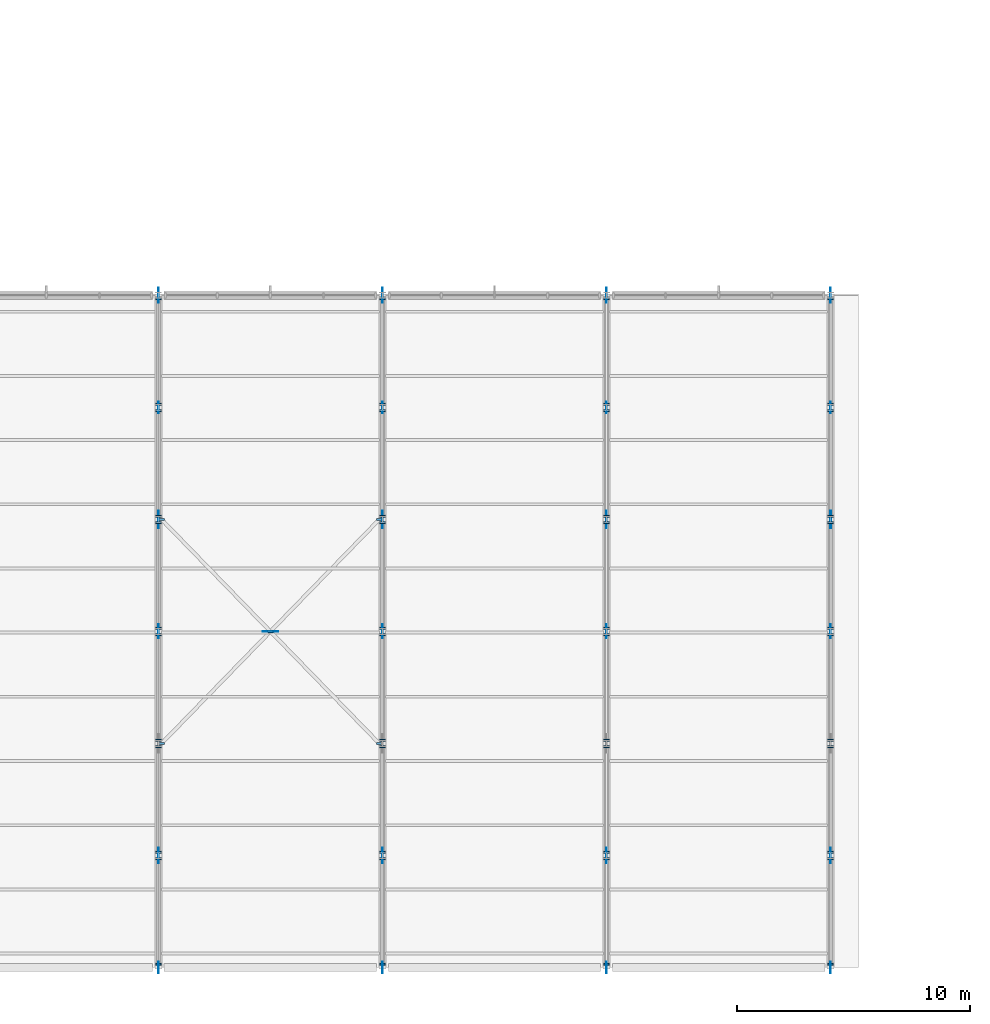
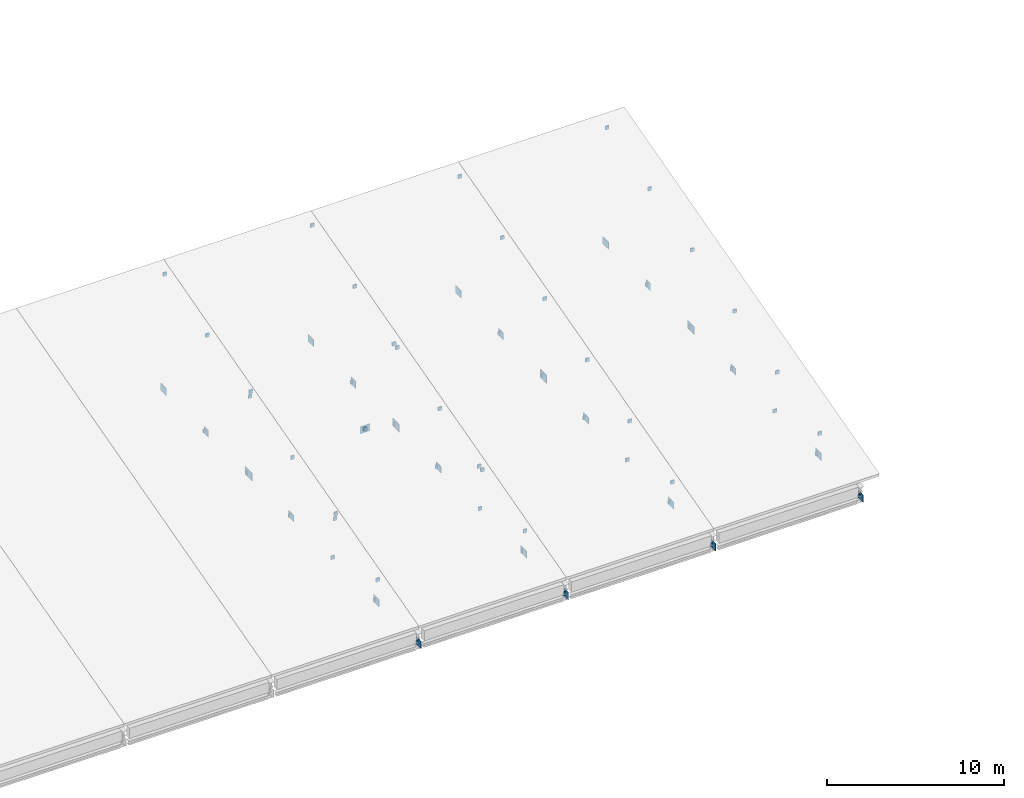
# One storey, part 39 of 57: 79 plates.
"""IFC4 building model written with IfcOpenShell, lengths in metres."""

from ifc_helpers import new_model, si_unit, direction, frame, origin, origin_2d, place, context, subcontext, project, spatial, rectangle, extrude, material, layer, layer_set, type_object, element, save


model = new_model("IFC4")

# Units and contexts
model_context = context("Model", 3, precision=1e-05, world=origin(), true_north=direction((0.0, 1.0)))
body_context = subcontext(model_context, "Body", "Model", "MODEL_VIEW")
ifc_project = project(units=[si_unit("LENGTHUNIT", "METRE"), si_unit("AREAUNIT", "SQUARE_METRE"), si_unit("VOLUMEUNIT", "CUBIC_METRE"), si_unit("PLANEANGLEUNIT", "RADIAN"), si_unit("MASSUNIT", "GRAM", prefix="KILO")], contexts=[model_context])

# Site, building, storey
site_placement = place(None, origin())
site = spatial("IfcSite", under=ifc_project, at=site_placement, CompositionType="ELEMENT")
building_placement = place(site_placement, origin())
building = spatial("IfcBuilding", under=site, at=building_placement, Name="Shalvenor Court Art Gallery", CompositionType="ELEMENT")
storey_placement = place(building_placement, frame((0.0, 0.0, 16.800048828125)))
storey = spatial("IfcBuildingStorey", under=building, at=storey_placement, Name="L03", CompositionType="ELEMENT", Elevation=16.800048828125)

# Plates
ifc_material_1 = material(Name="Steel S355", Category="steel")
ifc_layer_1 = layer(ifc_material_1, 0.02001953125, Name="Steel S355")
ifc_layer_set_1 = layer_set([ifc_layer_1], Name="Steel S355")
plate_type_1 = type_object("IfcPlateType", Name="EP-02", PredefinedType="USERDEFINED", material=ifc_layer_set_1)
for number, where, z_axis, x_axis, name in (
    (1, (38.39990234375, 0.139892578125, -1.2802734375), (0.0, 0.0, 1.0), (1.0, 0.0, 0.0), "Truss End Cap Stiffener PLT-CAP-0250"),
    (2, (38.39990234375, 4.659912109375, 0.26171875), (0.0, 0.0, 1.0), (1.0, 0.0, 0.0), "Truss End Cap Stiffener PLT-CAP-0251"),
    (3, (38.39990234375, 4.93994140625, -1.2802734375), (0.0, 0.0, 1.0), (1.0, 0.0, 0.0), "Truss End Cap Stiffener PLT-CAP-0252"),
    (4, (38.39990234375, 9.4599609375, 1.5615234375), (0.0, 0.0, 1.0), (1.0, 0.0, 0.0), "Truss End Cap Stiffener PLT-CAP-0253"),
    (5, (38.39990234375, 9.739990234375, -1.2802734375), (0.0, 0.0, 1.0), (1.0, 0.0, 0.0), "Truss End Cap Stiffener PLT-CAP-0254"),
    (6, (38.39990234375, 14.260009765625, 2.86181640625), (0.0, 0.0, 1.0), (1.0, 0.0, 0.0), "Truss End Cap Stiffener PLT-CAP-0255"),
    (7, (38.39990234375, 14.5400390625, -1.2802734375), (0.0, 0.0, 1.0), (1.0, 0.0, 0.0), "Truss End Cap Stiffener PLT-CAP-0256"),
    (8, (38.39990234375, 19.06005859375, 4.16162109375), (0.0, 0.0, 1.0), (1.0, 0.0, 0.0), "Truss End Cap Stiffener PLT-CAP-0257"),
    (9, (38.39990234375, 19.340087890625, -1.2802734375), (0.0, 0.0, 1.0), (1.0, 0.0, 0.0), "Truss End Cap Stiffener PLT-CAP-0258"),
    (10, (38.39990234375, 23.860107421875, 5.46142578125), (0.0, 0.0, 1.0), (1.0, 0.0, 0.0), "Truss End Cap Stiffener PLT-CAP-0259"),
    (11, (38.39990234375, 24.139892578125, -1.2802734375), (0.0, 0.0, 1.0), (1.0, 0.0, 0.0), "Truss End Cap Stiffener PLT-CAP-0260"),
    (12, (38.39990234375, 28.659912109375, 6.76171875), (0.0, 0.0, 1.0), (1.0, 0.0, 0.0), "Truss End Cap Stiffener PLT-CAP-0261"),
    (13, (48.0, 0.139892578125, -1.2802734375), (0.0, 0.0, 1.0), (1.0, 0.0, 0.0), "Truss End Cap Stiffener PLT-CAP-0269"),
    (14, (48.0, 4.659912109375, 0.26171875), (0.0, 0.0, 1.0), (1.0, 0.0, 0.0), "Truss End Cap Stiffener PLT-CAP-0270"),
    (15, (48.0, 4.93994140625, -1.2802734375), (0.0, 0.0, 1.0), (1.0, 0.0, 0.0), "Truss End Cap Stiffener PLT-CAP-0271"),
    (16, (48.0, 9.4599609375, 1.5615234375), (0.0, 0.0, 1.0), (1.0, 0.0, 0.0), "Truss End Cap Stiffener PLT-CAP-0272"),
    (17, (48.0, 9.739990234375, -1.2802734375), (0.0, 0.0, 1.0), (1.0, 0.0, 0.0), "Truss End Cap Stiffener PLT-CAP-0273"),
    (18, (48.0, 14.260009765625, 2.86181640625), (0.0, 0.0, 1.0), (1.0, 0.0, 0.0), "Truss End Cap Stiffener PLT-CAP-0274"),
    (19, (48.0, 14.5400390625, -1.2802734375), (0.0, 0.0, 1.0), (1.0, 0.0, 0.0), "Truss End Cap Stiffener PLT-CAP-0275"),
    (20, (48.0, 19.06005859375, 4.16162109375), (0.0, 0.0, 1.0), (1.0, 0.0, 0.0), "Truss End Cap Stiffener PLT-CAP-0276"),
    (21, (48.0, 19.340087890625, -1.2802734375), (0.0, 0.0, 1.0), (1.0, 0.0, 0.0), "Truss End Cap Stiffener PLT-CAP-0277"),
    (22, (48.0, 23.860107421875, 5.46142578125), (0.0, 0.0, 1.0), (1.0, 0.0, 0.0), "Truss End Cap Stiffener PLT-CAP-0278"),
    (23, (48.0, 24.139892578125, -1.2802734375), (0.0, 0.0, 1.0), (1.0, 0.0, 0.0), "Truss End Cap Stiffener PLT-CAP-0279"),
    (24, (48.0, 28.659912109375, 6.76171875), (0.0, 0.0, 1.0), (1.0, 0.0, 0.0), "Truss End Cap Stiffener PLT-CAP-0280"),
    (25, (57.60009765625, 0.139892578125, -1.2802734375), (0.0, 0.0, 1.0), (1.0, 0.0, 0.0), "Truss End Cap Stiffener PLT-CAP-0288"),
    (26, (57.60009765625, 4.659912109375, 0.26171875), (0.0, 0.0, 1.0), (1.0, 0.0, 0.0), "Truss End Cap Stiffener PLT-CAP-0289"),
    (27, (57.60009765625, 4.93994140625, -1.2802734375), (0.0, 0.0, 1.0), (1.0, 0.0, 0.0), "Truss End Cap Stiffener PLT-CAP-0290"),
    (28, (57.60009765625, 9.4599609375, 1.5615234375), (0.0, 0.0, 1.0), (1.0, 0.0, 0.0), "Truss End Cap Stiffener PLT-CAP-0291"),
    (29, (57.60009765625, 9.739990234375, -1.2802734375), (0.0, 0.0, 1.0), (1.0, 0.0, 0.0), "Truss End Cap Stiffener PLT-CAP-0292"),
    (30, (57.60009765625, 14.260009765625, 2.86181640625), (0.0, 0.0, 1.0), (1.0, 0.0, 0.0), "Truss End Cap Stiffener PLT-CAP-0293"),
    (31, (57.60009765625, 14.5400390625, -1.2802734375), (0.0, 0.0, 1.0), (1.0, 0.0, 0.0), "Truss End Cap Stiffener PLT-CAP-0294"),
    (32, (57.60009765625, 19.06005859375, 4.16162109375), (0.0, 0.0, 1.0), (1.0, 0.0, 0.0), "Truss End Cap Stiffener PLT-CAP-0295"),
    (33, (57.60009765625, 19.340087890625, -1.2802734375), (0.0, 0.0, 1.0), (1.0, 0.0, 0.0), "Truss End Cap Stiffener PLT-CAP-0296"),
    (34, (57.60009765625, 23.860107421875, 5.46142578125), (0.0, 0.0, 1.0), (1.0, 0.0, 0.0), "Truss End Cap Stiffener PLT-CAP-0297"),
    (35, (57.60009765625, 24.139892578125, -1.2802734375), (0.0, 0.0, 1.0), (1.0, 0.0, 0.0), "Truss End Cap Stiffener PLT-CAP-0298"),
    (36, (57.60009765625, 28.659912109375, 6.76171875), (0.0, 0.0, 1.0), (1.0, 0.0, 0.0), "Truss End Cap Stiffener PLT-CAP-0299"),
    (37, (67.199951171875, 0.139892578125, -1.2802734375), (0.0, 0.0, 1.0), (1.0, 0.0, 0.0), "Truss End Cap Stiffener PLT-CAP-0307"),
    (38, (67.199951171875, 4.659912109375, 0.26171875), (0.0, 0.0, 1.0), (1.0, 0.0, 0.0), "Truss End Cap Stiffener PLT-CAP-0308"),
    (39, (67.199951171875, 4.93994140625, -1.2802734375), (0.0, 0.0, 1.0), (1.0, 0.0, 0.0), "Truss End Cap Stiffener PLT-CAP-0309"),
    (40, (67.199951171875, 9.4599609375, 1.5615234375), (0.0, 0.0, 1.0), (1.0, 0.0, 0.0), "Truss End Cap Stiffener PLT-CAP-0310"),
    (41, (67.199951171875, 9.739990234375, -1.2802734375), (0.0, 0.0, 1.0), (1.0, 0.0, 0.0), "Truss End Cap Stiffener PLT-CAP-0311"),
    (42, (67.199951171875, 14.260009765625, 2.86181640625), (0.0, 0.0, 1.0), (1.0, 0.0, 0.0), "Truss End Cap Stiffener PLT-CAP-0312"),
    (43, (67.199951171875, 14.5400390625, -1.2802734375), (0.0, 0.0, 1.0), (1.0, 0.0, 0.0), "Truss End Cap Stiffener PLT-CAP-0313"),
    (44, (67.199951171875, 19.06005859375, 4.16162109375), (0.0, 0.0, 1.0), (1.0, 0.0, 0.0), "Truss End Cap Stiffener PLT-CAP-0314"),
    (45, (67.199951171875, 19.340087890625, -1.2802734375), (0.0, 0.0, 1.0), (1.0, 0.0, 0.0), "Truss End Cap Stiffener PLT-CAP-0315"),
    (46, (67.199951171875, 23.860107421875, 5.46142578125), (0.0, 0.0, 1.0), (1.0, 0.0, 0.0), "Truss End Cap Stiffener PLT-CAP-0316"),
    (47, (67.199951171875, 24.139892578125, -1.2802734375), (0.0, 0.0, 1.0), (1.0, 0.0, 0.0), "Truss End Cap Stiffener PLT-CAP-0317"),
    (48, (67.199951171875, 28.659912109375, 6.76171875), (0.0, 0.0, 1.0), (1.0, 0.0, 0.0), "Truss End Cap Stiffener PLT-CAP-0318"),
):
    element("IfcPlate", number, at=place(storey_placement, frame(where, z_axis=z_axis, x_axis=x_axis)), inside=storey, type_object=plate_type_1, Name=name, ObjectType="STIFFENER PLATE", PredefinedType="USERDEFINED", context=body_context, shape_type="SweptSolid", body=[
        extrude(rectangle(XDim=0.239990234375, YDim=0.080078125, at=origin_2d()), origin(), (0.0, 0.0, 1.0), 0.239990234375),
    ])
ifc_material_2 = material(Name="Steel S355", Category="steel")
ifc_layer_2 = layer(ifc_material_2, 0.01806640625, Name="Steel S355")
ifc_layer_set_2 = layer_set([ifc_layer_2], Name="Steel S355")
plate_type_2 = type_object("IfcPlateType", Name="EP-03", PredefinedType="USERDEFINED", material=ifc_layer_set_2)
for number, where, z_axis, x_axis, name in (
    (49, (38.534912109375, 9.60009765625, 1.771484375), (0.0, 0.0, 1.0), (1.0, 0.0, 0.0), "Brace End Cap Stiffener PLT-CAP-0327"),
    (50, (47.864990234375, 19.199951171875, 4.37158203125), (0.0, 0.0, 1.0), (1.0, 0.0, 0.0), "Brace End Cap Stiffener PLT-CAP-0328"),
    (51, (47.864990234375, 9.60009765625, 1.771484375), (0.0, 0.0, 1.0), (1.0, 0.0, 0.0), "Brace End Cap Stiffener PLT-CAP-0329"),
    (52, (43.213623046875, 14.385986328125, 3.06787109375), (0.0, 0.0, 1.0), (1.0, 0.0, 0.0), "Brace End Cap Stiffener PLT-CAP-0330"),
    (53, (43.186279296875, 14.4140625, 3.07568359375), (0.0, 0.0, 1.0), (1.0, 0.0, 0.0), "Brace End Cap Stiffener PLT-CAP-0331"),
    (54, (38.534912109375, 19.199951171875, 4.37158203125), (0.0, 0.0, 1.0), (1.0, 0.0, 0.0), "Brace End Cap Stiffener PLT-CAP-0332"),
):
    element("IfcPlate", number, at=place(storey_placement, frame(where, z_axis=z_axis, x_axis=x_axis)), inside=storey, type_object=plate_type_2, Name=name, ObjectType="STIFFENER PLATE", PredefinedType="USERDEFINED", context=body_context, shape_type="SweptSolid", body=[
        extrude(rectangle(XDim=0.239990234375, YDim=0.10009765625, at=origin_2d()), origin(), (0.0, 0.0, 1.0), 0.239990234375),
    ])
ifc_material_3 = material(Name="Steel S355", Category="steel")
ifc_layer_3 = layer(ifc_material_3, 0.02392578125, Name="Steel S355")
ifc_layer_set_3 = layer_set([ifc_layer_3], Name="Steel S355")
plate_type_3 = type_object("IfcPlateType", Name="GP-01", PredefinedType="SHEET", material=ifc_layer_set_3)
for number, where, z_axis, x_axis, name in (
    (55, (38.39990234375, 0.0, -1.400146484375), (0.0, 0.0, 1.0), (0.0, 1.0, 0.0), "TN-04 Truss Gusset Plate PLT-GUS-0243"),
    (56, (38.39990234375, 24.0, -1.400146484375), (0.0, 0.0, 1.0), (0.0, 1.0, 0.0), "TN-05 Truss Gusset Plate PLT-GUS-0248"),
    (57, (48.0, 0.0, -1.400146484375), (0.0, 0.0, 1.0), (0.0, 1.0, 0.0), "TN-04 Truss Gusset Plate PLT-GUS-0262"),
    (58, (48.0, 24.0, -1.400146484375), (0.0, 0.0, 1.0), (0.0, 1.0, 0.0), "TN-05 Truss Gusset Plate PLT-GUS-0267"),
    (59, (57.60009765625, 0.0, -1.400146484375), (0.0, 0.0, 1.0), (0.0, 1.0, 0.0), "TN-04 Truss Gusset Plate PLT-GUS-0281"),
    (60, (57.60009765625, 24.0, -1.400146484375), (0.0, 0.0, 1.0), (0.0, 1.0, 0.0), "TN-05 Truss Gusset Plate PLT-GUS-0286"),
    (61, (67.199951171875, 0.0, -1.400146484375), (0.0, 0.0, 1.0), (0.0, 1.0, 0.0), "TN-04 Truss Gusset Plate PLT-GUS-0300"),
    (62, (67.199951171875, 24.0, -1.400146484375), (0.0, 0.0, 1.0), (0.0, 1.0, 0.0), "TN-05 Truss Gusset Plate PLT-GUS-0305"),
):
    element("IfcPlate", number, at=place(storey_placement, frame(where, z_axis=z_axis, x_axis=x_axis)), inside=storey, type_object=plate_type_3, Name=name, PredefinedType="SHEET", context=body_context, shape_type="SweptSolid", body=[
        extrude(rectangle(XDim=0.5, YDim=0.02392578125, at=origin_2d()), origin(), (0.0, 0.0, 1.0), 0.5),
    ])
ifc_material_4 = material(Name="Steel S355", Category="steel")
ifc_layer_4 = layer(ifc_material_4, 0.02392578125, Name="Steel S355")
ifc_layer_set_4 = layer_set([ifc_layer_4], Name="Steel S355")
plate_type_4 = type_object("IfcPlateType", Name="GP-02", PredefinedType="SHEET", material=ifc_layer_set_4)
for number, where, z_axis, x_axis, name in (
    (63, (38.39990234375, 4.800048828125, -1.400146484375), (0.0, 0.0, 1.0), (0.0, 1.0, 0.0), "TN-05 Truss Gusset Plate PLT-GUS-0244"),
    (64, (38.39990234375, 28.800048828125, -1.400146484375), (0.0, 0.0, 1.0), (0.0, 1.0, 0.0), "TN-06 Truss Gusset Plate PLT-GUS-0249"),
    (65, (48.0, 4.800048828125, -1.400146484375), (0.0, 0.0, 1.0), (0.0, 1.0, 0.0), "TN-05 Truss Gusset Plate PLT-GUS-0263"),
    (66, (48.0, 28.800048828125, -1.400146484375), (0.0, 0.0, 1.0), (0.0, 1.0, 0.0), "TN-06 Truss Gusset Plate PLT-GUS-0268"),
    (67, (57.60009765625, 4.800048828125, -1.400146484375), (0.0, 0.0, 1.0), (0.0, 1.0, 0.0), "TN-05 Truss Gusset Plate PLT-GUS-0282"),
    (68, (57.60009765625, 28.800048828125, -1.400146484375), (0.0, 0.0, 1.0), (0.0, 1.0, 0.0), "TN-06 Truss Gusset Plate PLT-GUS-0287"),
    (69, (67.199951171875, 4.800048828125, -1.400146484375), (0.0, 0.0, 1.0), (0.0, 1.0, 0.0), "TN-05 Truss Gusset Plate PLT-GUS-0301"),
    (70, (67.199951171875, 28.800048828125, -1.400146484375), (0.0, 0.0, 1.0), (0.0, 1.0, 0.0), "TN-06 Truss Gusset Plate PLT-GUS-0306"),
    (71, (43.199951171875, 14.39990234375, 2.941650390625), (0.0, 0.0, 1.0), (1.0, 0.0, 0.0), "X-Brace Crossing Node Gusset PLT-XND-0326"),
):
    element("IfcPlate", number, at=place(storey_placement, frame(where, z_axis=z_axis, x_axis=x_axis)), inside=storey, type_object=plate_type_4, Name=name, PredefinedType="SHEET", context=body_context, shape_type="SweptSolid", body=[
        extrude(rectangle(XDim=0.64990234375, YDim=0.02392578125, at=origin_2d()), origin(), (0.0, 0.0, 1.0), 0.5),
    ])
ifc_material_5 = material(Name="Steel S355", Category="steel")
ifc_layer_5 = layer(ifc_material_5, 0.02197265625, Name="Steel S355")
ifc_layer_set_5 = layer_set([ifc_layer_5], Name="Steel S355")
plate_type_5 = type_object("IfcPlateType", Name="GP-04", PredefinedType="SHEET", material=ifc_layer_set_5)
for number, where, z_axis, x_axis, name in (
    (72, (38.39990234375, 14.39990234375, -1.375), (0.0, 0.0, 1.0), (0.0, 1.0, 0.0), "TN-05 Truss Gusset Plate PLT-GUS-0246"),
    (73, (48.0, 14.39990234375, -1.375), (0.0, 0.0, 1.0), (0.0, 1.0, 0.0), "TN-05 Truss Gusset Plate PLT-GUS-0265"),
    (74, (57.60009765625, 14.39990234375, -1.375), (0.0, 0.0, 1.0), (0.0, 1.0, 0.0), "TN-05 Truss Gusset Plate PLT-GUS-0284"),
    (75, (67.199951171875, 14.39990234375, -1.375), (0.0, 0.0, 1.0), (0.0, 1.0, 0.0), "TN-05 Truss Gusset Plate PLT-GUS-0303"),
):
    element("IfcPlate", number, at=place(storey_placement, frame(where, z_axis=z_axis, x_axis=x_axis)), inside=storey, type_object=plate_type_5, Name=name, PredefinedType="SHEET", context=body_context, shape_type="SweptSolid", body=[
        extrude(rectangle(XDim=0.60009765625, YDim=0.02197265625, at=origin_2d()), origin(), (0.0, 0.0, 1.0), 0.449951171875),
    ])
ifc_material_6 = material(Name="Steel S355", Category="steel")
ifc_layer_6 = layer(ifc_material_6, 0.028076171875, Name="Steel S355")
ifc_layer_set_6 = layer_set([ifc_layer_6], Name="Steel S355")
plate_type_6 = type_object("IfcPlateType", Name="GP-05", PredefinedType="SHEET", material=ifc_layer_set_6)
for number, where, z_axis, x_axis, name in (
    (76, (38.39990234375, 19.199951171875, -1.42529296875), (0.0, 0.0, 1.0), (0.0, 1.0, 0.0), "TN-05 Truss Gusset Plate PLT-GUS-0247"),
    (77, (48.0, 19.199951171875, -1.42529296875), (0.0, 0.0, 1.0), (0.0, 1.0, 0.0), "TN-05 Truss Gusset Plate PLT-GUS-0266"),
    (78, (57.60009765625, 19.199951171875, -1.42529296875), (0.0, 0.0, 1.0), (0.0, 1.0, 0.0), "TN-05 Truss Gusset Plate PLT-GUS-0285"),
    (79, (67.199951171875, 19.199951171875, -1.42529296875), (0.0, 0.0, 1.0), (0.0, 1.0, 0.0), "TN-05 Truss Gusset Plate PLT-GUS-0304"),
):
    element("IfcPlate", number, at=place(storey_placement, frame(where, z_axis=z_axis, x_axis=x_axis)), inside=storey, type_object=plate_type_6, Name=name, PredefinedType="SHEET", context=body_context, shape_type="SweptSolid", body=[
        extrude(rectangle(XDim=0.75, YDim=0.028076171875, at=origin_2d()), origin(), (0.0, 0.0, 1.0), 0.550048828125),
    ])

save(model, "model.ifc")
